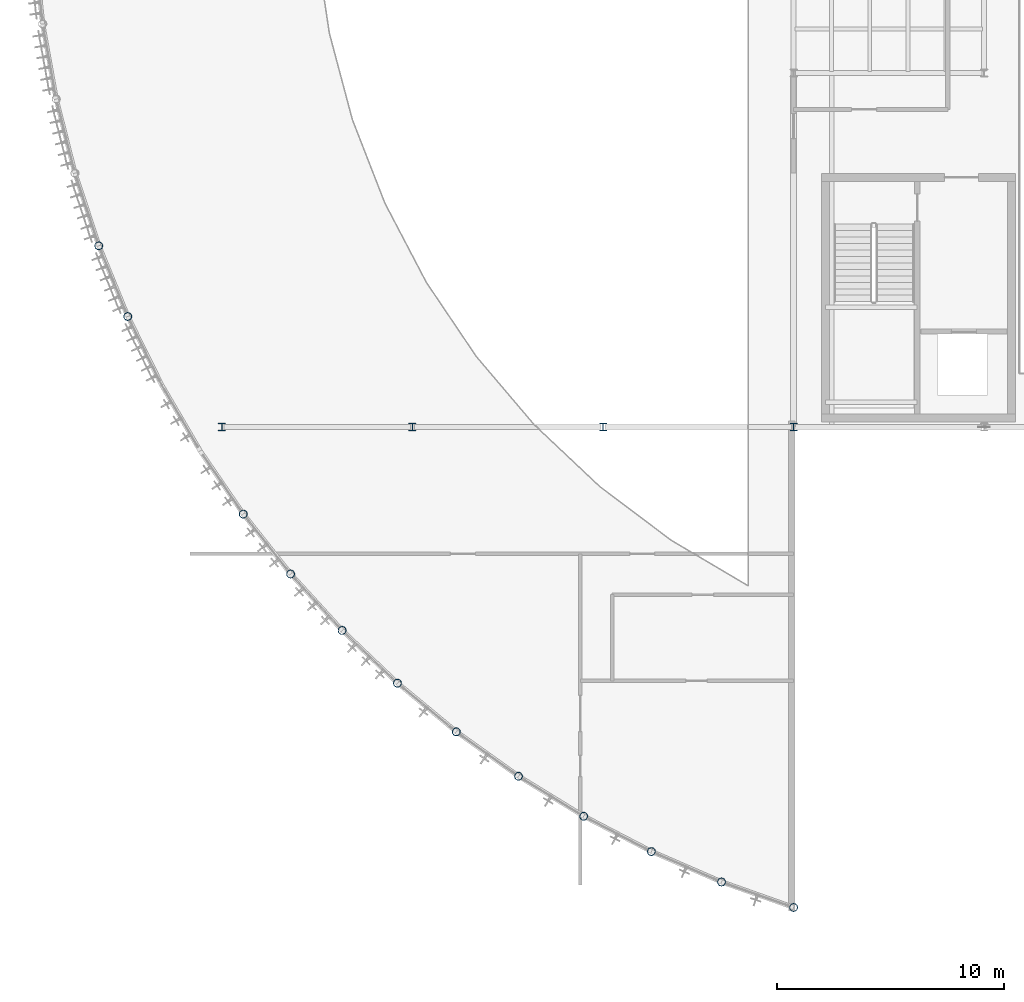
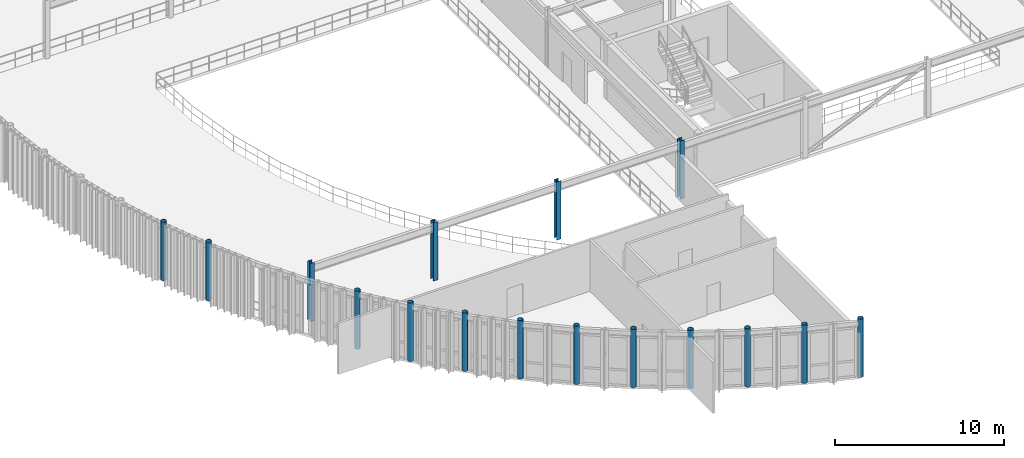
# One storey, part 1 of 32: 16 columns.
"""IFC4 building model written with IfcOpenShell, lengths in metres."""

from ifc_helpers import new_model, si_unit, direction, frame, origin, origin_2d, place, context, subcontext, project, spatial, hollow_circle, i_section, extrude, material, material_profile, profile_set, type_object, element, save


model = new_model("IFC4")

# Units and contexts
model_context = context("Model", 3, precision=1e-05, world=origin(), true_north=direction((0.0, 1.0)))
body_context = subcontext(model_context, "Body", "Model", "MODEL_VIEW")
ifc_project = project(units=[si_unit("LENGTHUNIT", "METRE"), si_unit("AREAUNIT", "SQUARE_METRE"), si_unit("VOLUMEUNIT", "CUBIC_METRE"), si_unit("PLANEANGLEUNIT", "RADIAN"), si_unit("MASSUNIT", "GRAM", prefix="KILO")], contexts=[model_context])

# Site, building, storey
site_placement = place(None, origin())
site = spatial("IfcSite", under=ifc_project, at=site_placement, CompositionType="ELEMENT")
building_placement = place(site_placement, origin())
building = spatial("IfcBuilding", under=site, at=building_placement, Name="Selat Folded Stagehouse", CompositionType="ELEMENT")
storey_placement = place(building_placement, frame((0.0, 0.0, 19.199951171875)))
storey = spatial("IfcBuildingStorey", under=building, at=storey_placement, Name="L04", CompositionType="ELEMENT", Elevation=19.199951171875)

# Columns
ifc_material = material(Name="Steel S355", Category="steel")
ifc_material_profile_1 = material_profile(ifc_material, hollow_circle(Radius=0.177734375, WallThickness=0.01611328125, at=origin_2d()), Name="CHS 355.6x16.0")
ifc_profile_set_1 = profile_set([ifc_material_profile_1], Name="Steel S355")
column_type_1 = type_object("IfcColumnType", Name="COL-CHS-355x16", PredefinedType="COLUMN", material=ifc_profile_set_1)
for number, where, z_axis, x_axis, name in (
    (1, (2.967529296875, 31.38427734375, 0.0), (0.0, 0.0, 1.0), (1.0, 0.0, 0.0), "L04 column STK-DRM-07"),
    (2, (4.243896484375, 28.266357421875, 0.0), (0.0, 0.0, 1.0), (1.0, 0.0, 0.0), "L04 column STK-DRM-08"),
    (3, (9.336181640625, 19.55517578125, 0.0), (0.0, 0.0, 1.0), (1.0, 0.0, 0.0), "L04 column STK-DRM-11"),
    (4, (11.4267578125, 16.9130859375, 0.0), (0.0, 0.0, 1.0), (1.0, 0.0, 0.0), "L04 column STK-DRM-12"),
    (5, (13.697509765625, 14.42431640625, 0.0), (0.0, 0.0, 1.0), (1.0, 0.0, 0.0), "L04 column STK-DRM-13"),
    (6, (16.136962890625, 12.100830078125, 0.0), (0.0, 0.0, 1.0), (1.0, 0.0, 0.0), "L04 column STK-DRM-14"),
    (7, (18.733642578125, 9.954345703125, 0.0), (0.0, 0.0, 1.0), (1.0, 0.0, 0.0), "L04 column STK-DRM-15"),
    (8, (21.474365234375, 7.9951171875, 0.0), (0.0, 0.0, 1.0), (1.0, 0.0, 0.0), "L04 column STK-DRM-16"),
    (9, (24.345703125, 6.23291015625, 0.0), (0.0, 0.0, 1.0), (1.0, 0.0, 0.0), "L04 column STK-DRM-17"),
    (10, (27.333740234375, 4.6767578125, 0.0), (0.0, 0.0, 1.0), (1.0, 0.0, 0.0), "L04 column STK-DRM-18"),
    (11, (30.423583984375, 3.333740234375, 0.0), (0.0, 0.0, 1.0), (1.0, 0.0, 0.0), "L04 column STK-DRM-19"),
    (12, (33.60009765625, 2.2109375, 0.0), (0.0, 0.0, 1.0), (1.0, 0.0, 0.0), "L04 column STK-DRM-20"),
):
    element("IfcColumn", number, at=place(storey_placement, frame(where, z_axis=z_axis, x_axis=x_axis)), inside=storey, type_object=column_type_1, Name=name, PredefinedType="COLUMN", context=body_context, shape_type="SweptSolid", body=[
        extrude(hollow_circle(Radius=0.177734375, WallThickness=0.01611328125, at=origin_2d()), origin(), (0.0, 0.0, 1.0), 4.199951171875),
    ])
ifc_material_profile_2 = material_profile(ifc_material, i_section(OverallWidth=0.30908203125, OverallDepth=0.320556640625, WebThickness=0.013916015625, FlangeThickness=0.021728515625, FilletRadius=0.01513671875, at=origin_2d()), Name="UKC 305x305x137")
ifc_profile_set_2 = profile_set([ifc_material_profile_2], Name="Steel S355")
column_type_2 = type_object("IfcColumnType", Name="COL-UKC-305x305x137", PredefinedType="COLUMN", material=ifc_profile_set_2)
for number, where, z_axis, x_axis, name in (
    (13, (8.39990234375, 23.39990234375, 0.0), (0.0, 0.0, 1.0), (1.0, 0.0, 0.0), "L04 column STK-V2-00"),
    (14, (16.800048828125, 23.39990234375, 0.0), (0.0, 0.0, 1.0), (1.0, 0.0, 0.0), "L04 column STK-V2-01"),
    (15, (25.199951171875, 23.39990234375, 0.0), (0.0, 0.0, 1.0), (1.0, 0.0, 0.0), "L04 column STK-V2-02"),
    (16, (33.60009765625, 23.39990234375, 0.0), (0.0, 0.0, 1.0), (1.0, 0.0, 0.0), "L04 column STK-V2-07"),
):
    element("IfcColumn", number, at=place(storey_placement, frame(where, z_axis=z_axis, x_axis=x_axis)), inside=storey, type_object=column_type_2, Name=name, PredefinedType="COLUMN", context=body_context, shape_type="SweptSolid", body=[
        extrude(i_section(OverallWidth=0.30908203125, OverallDepth=0.320556640625, WebThickness=0.013916015625, FlangeThickness=0.021728515625, FilletRadius=0.01513671875, at=origin_2d()), origin(), (0.0, 0.0, 1.0), 4.199951171875),
    ])

save(model, "model.ifc")
